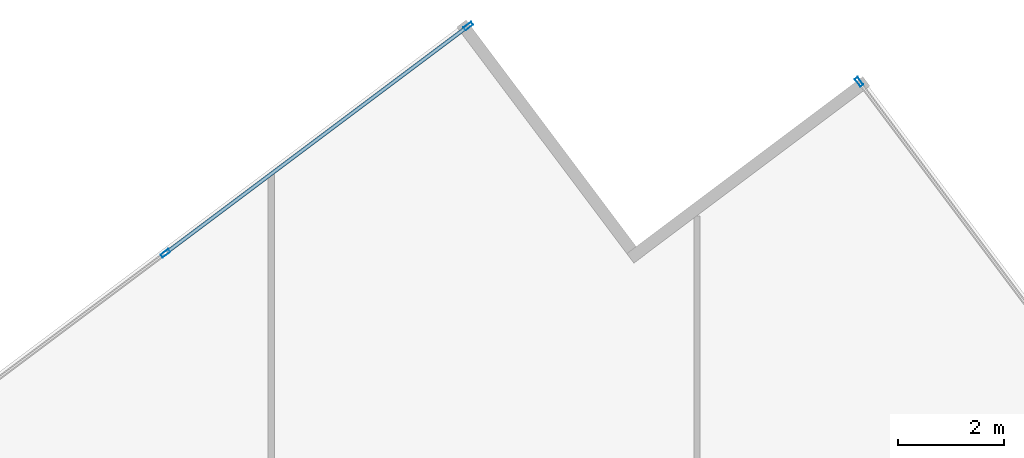
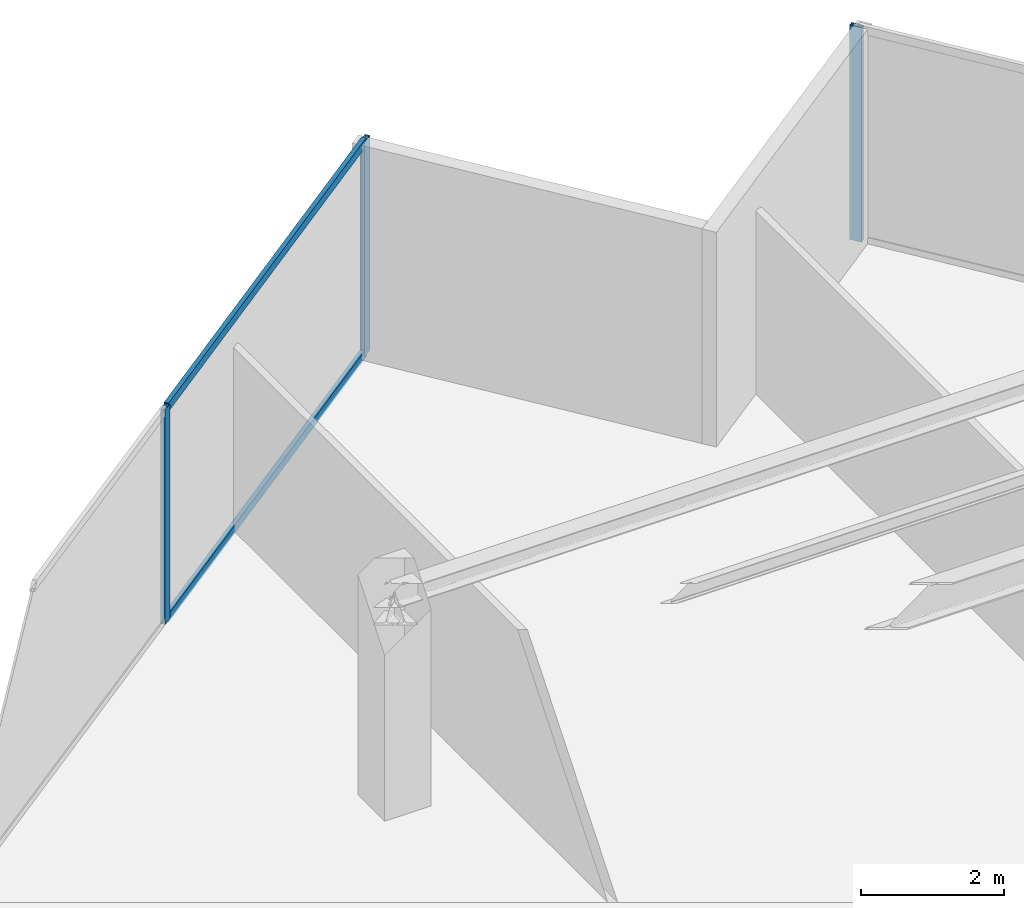
# One storey, part 14 of 21: 5 members, 2 elements without a shape of their own.
"""IFC4 building model written with IfcOpenShell, lengths in metres."""

from ifc_helpers import new_model, si_unit, direction, frame, origin, origin_2d, place, context, subcontext, project, spatial, hollow_rectangle, extrude, source, transform, mapped, material, material_profile, profile_set, type_object, type_shapes, element, aggregate, save


model = new_model("IFC4")

# Units and contexts
model_context = context("Model", 3, precision=1e-05, world=origin(), true_north=direction((0.0, 1.0)))
body_context = subcontext(model_context, "Body", "Model", "MODEL_VIEW")
ifc_project = project(units=[si_unit("LENGTHUNIT", "METRE"), si_unit("AREAUNIT", "SQUARE_METRE"), si_unit("VOLUMEUNIT", "CUBIC_METRE"), si_unit("PLANEANGLEUNIT", "RADIAN"), si_unit("MASSUNIT", "GRAM", prefix="KILO")], contexts=[model_context])

# Site, building, storey
site_placement = place(None, origin())
site = spatial("IfcSite", under=ifc_project, at=site_placement, CompositionType="ELEMENT")
building_placement = place(site_placement, origin())
building = spatial("IfcBuilding", under=site, at=building_placement, Name="Krantzveldt Concourse Tower", CompositionType="ELEMENT")
storey_placement = place(building_placement, frame((0.0, 0.0, 267.39990234375)))
storey = spatial("IfcBuildingStorey", under=building, at=storey_placement, Name="L65", CompositionType="ELEMENT", Elevation=267.39990234375)

# Curtain wall, members
ifc_material = material(Name="Anodised aluminium 6063-T6", Category="aluminium")
curtain_wall_type = type_object("IfcCurtainWallType", Name="CW4", PredefinedType="USERDEFINED", material=ifc_material)
curtain_wall_1_placement = place(storey_placement, origin())
curtain_wall_1 = element("IfcCurtainWall", 1, at=curtain_wall_1_placement, inside=storey, type_object=curtain_wall_type, Name="CW-L65-F01", ObjectType="UNITISED CURTAIN WALL", PredefinedType="USERDEFINED")
ifc_material_profile_1 = material_profile(ifc_material, hollow_rectangle(XDim=0.070068359375, YDim=0.179931640625, WallThickness=0.0048828125, at=origin_2d()), Name="Anodised aluminium 6063-T6", Category="aluminium")
ifc_profile_set_1 = profile_set([ifc_material_profile_1], Name="Anodised aluminium 6063-T6 - ALU-MULL 180x70x5")
member_type_1 = type_object("IfcMemberType", Name="CW-MUL-180", PredefinedType="MULLION", material=ifc_profile_set_1)
shared_shape_1 = source(origin(), body_context, "Body", "SweptSolid", [
    extrude(hollow_rectangle(XDim=0.070068359375, YDim=0.179931640625, WallThickness=0.0048828125, at=origin_2d()), origin(), (0.0, 0.0, 1.0), 3.670166015625),
])
type_shapes(member_type_1, [shared_shape_1])
member_1_placement = place(storey_placement, frame((35.703857421875, 50.866943359375, 0.0), z_axis=(0.0, 0.0, 1.0), x_axis=(0.600071326292, -0.799946500313, 0.0)))
member_1 = element("IfcMember", 2, at=member_1_placement, type_object=member_type_1, Name="CW-Z56 mullion 1", PredefinedType="MULLION", context=body_context, shape_type="MappedRepresentation", body=[
    mapped(shared_shape_1, transform((0.0, 0.0, 0.0), x_axis=(1.0, 0.0, 0.0), y_axis=(0.0, 1.0, 0.0), z_axis=(0.0, 0.0, 1.0), scale=1.0)),
])
member_2_placement = place(storey_placement, frame((30.01220703125, 46.597412109375, 0.0), z_axis=(0.0, 0.0, 1.0), x_axis=(0.600071326292, -0.799946500313, 0.0)))
member_2 = element("IfcMember", 3, at=member_2_placement, type_object=member_type_1, Name="CW-Z56 mullion 2", PredefinedType="MULLION", context=body_context, shape_type="MappedRepresentation", body=[
    mapped(shared_shape_1, transform((0.0, 0.0, 0.0), x_axis=(1.0, 0.0, 0.0), y_axis=(0.0, 1.0, 0.0), z_axis=(0.0, 0.0, 1.0), scale=1.0)),
])

# Curtain wall, member
curtain_wall_2_placement = place(storey_placement, origin())
curtain_wall_2 = element("IfcCurtainWall", 4, at=curtain_wall_2_placement, inside=storey, type_object=curtain_wall_type, Name="CW-L65-F10", ObjectType="UNITISED CURTAIN WALL", PredefinedType="USERDEFINED")
member_3_placement = place(storey_placement, frame((43.046875, 49.818603515625, 0.0), z_axis=(0.0, 0.0, 1.0), x_axis=(-0.799946500313, -0.600071326292, 0.0)))
member_3 = element("IfcMember", 5, at=member_3_placement, type_object=member_type_1, Name="CW-Z56 mullion 5", PredefinedType="MULLION", context=body_context, shape_type="MappedRepresentation", body=[
    mapped(shared_shape_1, transform((0.0, 0.0, 0.0), x_axis=(1.0, 0.0, 0.0), y_axis=(0.0, 1.0, 0.0), z_axis=(0.0, 0.0, 1.0), scale=1.0)),
])
aggregate(curtain_wall_2, [member_3])

# Member
ifc_material_profile_2 = material_profile(ifc_material, hollow_rectangle(XDim=0.070068359375, YDim=0.139892578125, WallThickness=0.0048828125, at=origin_2d()), Name="Anodised aluminium 6063-T6", Category="aluminium")
ifc_profile_set_2 = profile_set([ifc_material_profile_2], Name="Anodised aluminium 6063-T6 - ALU-TRAN 140x70x5")
member_type_2 = type_object("IfcMemberType", Name="CW-TRN-150", PredefinedType="USERDEFINED", material=ifc_profile_set_2)
shared_shape_2 = source(origin(), body_context, "Body", "SweptSolid", [
    extrude(hollow_rectangle(XDim=0.070068359375, YDim=0.139892578125, WallThickness=0.0048828125, at=origin_2d()), origin(), (0.0, 0.0, 1.0), 7.044921875),
])
type_shapes(member_type_2, [shared_shape_2])
member_4_placement = place(storey_placement, frame((35.67578125, 50.845947265625, 0.03515625), z_axis=(-0.799937616969, -0.600083168368, 0.0), x_axis=(0.600083168368, -0.799937616969, 0.0)))
member_4 = element("IfcMember", 6, at=member_4_placement, type_object=member_type_2, Name="CW-Z56 transom 1.1", ObjectType="TRANSOM", PredefinedType="USERDEFINED", context=body_context, shape_type="MappedRepresentation", body=[
    mapped(shared_shape_2, transform((0.0, 0.0, 0.0), x_axis=(1.0, 0.0, 0.0), y_axis=(0.0, 1.0, 0.0), z_axis=(0.0, 0.0, 1.0), scale=1.0)),
])

member_5_placement = place(storey_placement, frame((35.67578125, 50.845947265625, 3.635009765625), z_axis=(-0.799937616969, -0.600083168368, 0.0), x_axis=(0.600083168368, -0.799937616969, 0.0)))
member_5 = element("IfcMember", 7, at=member_5_placement, type_object=member_type_2, Name="CW-Z56 transom 1.2", ObjectType="TRANSOM", PredefinedType="USERDEFINED", context=body_context, shape_type="MappedRepresentation", body=[
    mapped(shared_shape_2, transform((0.0, 0.0, 0.0), x_axis=(1.0, 0.0, 0.0), y_axis=(0.0, 1.0, 0.0), z_axis=(0.0, 0.0, 1.0), scale=1.0)),
])

aggregate(curtain_wall_1, [member_1, member_2, member_4, member_5])

save(model, "model.ifc")
